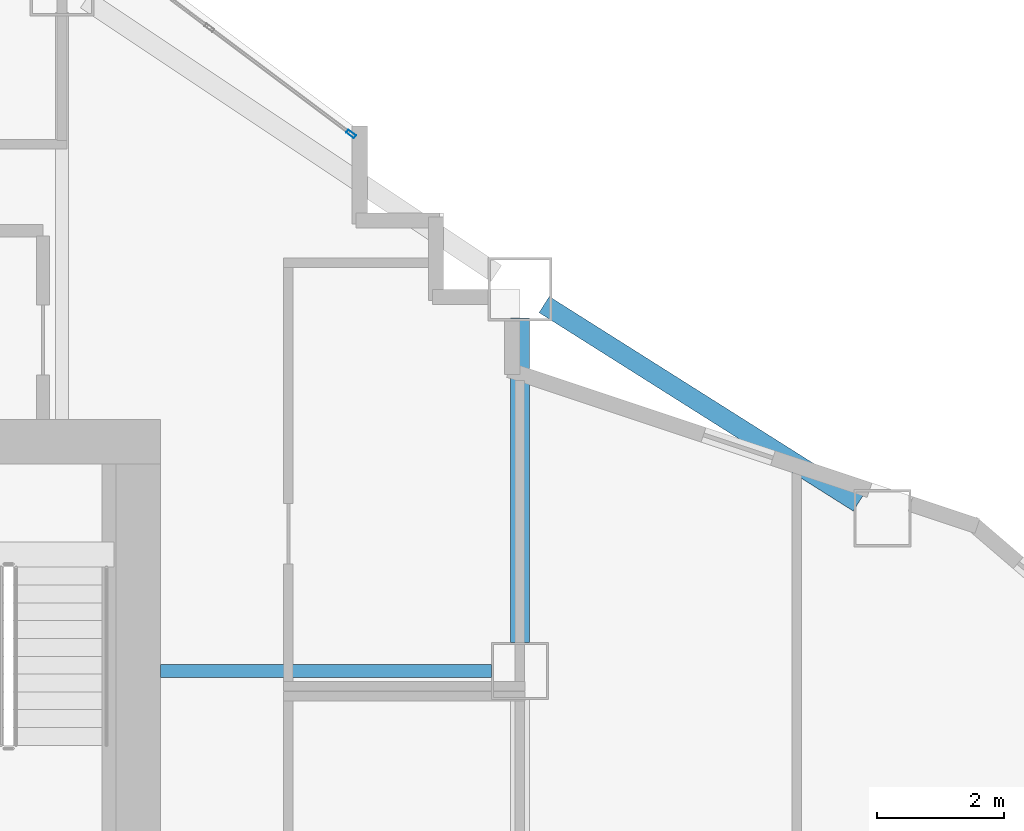
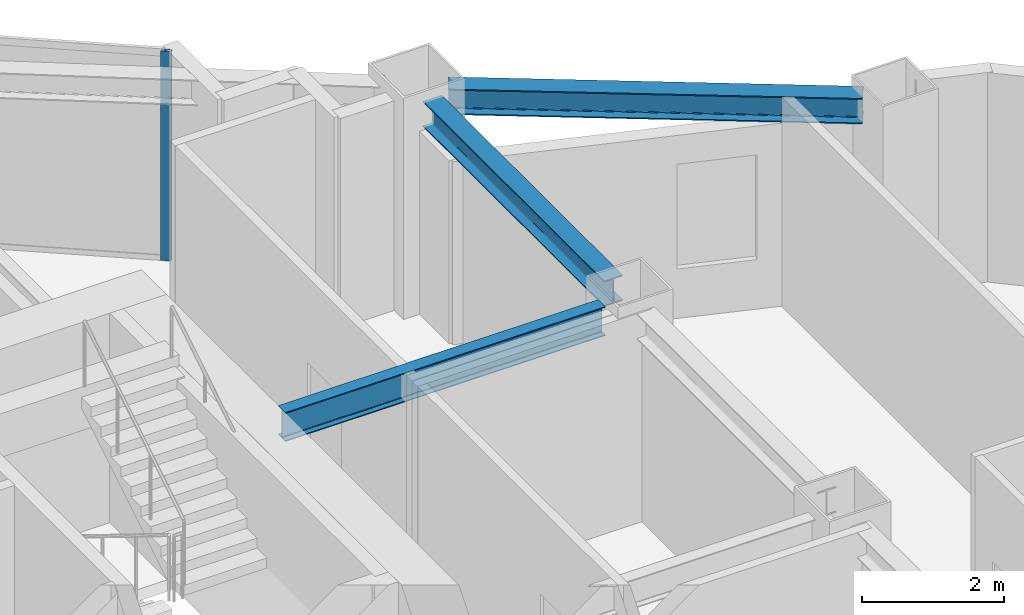
# One storey, part 5 of 14: 3 beams, 1 member, 1 element without a shape of its own.
"""IFC4 building model written with IfcOpenShell, lengths in metres."""

from ifc_helpers import new_model, si_unit, direction, frame, origin, origin_2d, place, context, subcontext, project, spatial, hollow_rectangle, i_section, extrude, material, layer, layer_set, material_profile, profile_set, type_object, element, aggregate, save


model = new_model("IFC4")

# Units and contexts
model_context = context("Model", 3, precision=1e-05, world=origin(), true_north=direction((0.0, 1.0)))
body_context = subcontext(model_context, "Body", "Model", "MODEL_VIEW")
ifc_project = project(units=[si_unit("LENGTHUNIT", "METRE"), si_unit("AREAUNIT", "SQUARE_METRE"), si_unit("VOLUMEUNIT", "CUBIC_METRE"), si_unit("PLANEANGLEUNIT", "RADIAN"), si_unit("MASSUNIT", "GRAM", prefix="KILO")], contexts=[model_context])

# Site, building, storey
site_placement = place(None, origin())
site = spatial("IfcSite", under=ifc_project, at=site_placement, CompositionType="ELEMENT")
building_placement = place(site_placement, origin())
building = spatial("IfcBuilding", under=site, at=building_placement, Name="Haolan Belvedere Tower", CompositionType="ELEMENT")
storey_placement = place(building_placement, frame((0.0, 0.0, 141.0)))
storey = spatial("IfcBuildingStorey", under=building, at=storey_placement, Name="L35", CompositionType="ELEMENT", Elevation=141.0)

# Beams
ifc_material_1 = material(Name="Steel Q355B", Category="steel")
ifc_material_profile_1 = material_profile(ifc_material_1, i_section(OverallWidth=0.300048828125, OverallDepth=0.43994140625, WebThickness=0.010986328125, FlangeThickness=0.01806640625, FilletRadius=0.02392578125, at=origin_2d()), Name="Steel Q355B")
ifc_profile_set_1 = profile_set([ifc_material_profile_1], Name="Steel Q355B")
beam_type_1 = type_object("IfcBeamType", Name="BM-HM440x300x11x18", PredefinedType="SPANDREL", material=ifc_profile_set_1)
beam_1_placement = place(storey_placement, frame((52.800048828125, 40.050048828125, 3.3798828125), z_axis=(0.0, 1.0, 0.0), x_axis=(-1.0, 0.0, 0.0)))
element("IfcBeam", 1, at=beam_1_placement, inside=storey, type_object=beam_type_1, Name="L35 spandrel girder TC-T3-E2-MC-T3-NE", PredefinedType="SPANDREL", context=body_context, shape_type="SweptSolid", body=[
    extrude(i_section(OverallWidth=0.300048828125, OverallDepth=0.43994140625, WebThickness=0.010986328125, FlangeThickness=0.01806640625, FilletRadius=0.02392578125, at=origin_2d()), origin(), (0.0, 0.0, 1.0), 5.099853515625),
])
beam_2_placement = place(storey_placement, frame((53.180419921875, 45.359619140625, 3.3798828125), z_axis=(0.845497840649, -0.533978839898, 0.0), x_axis=(0.533978839898, 0.845497840649, 0.0)))
element("IfcBeam", 2, at=beam_2_placement, inside=storey, type_object=beam_type_1, Name="L35 spandrel girder MC-T3-NE-TC-T4-N1", PredefinedType="SPANDREL", context=body_context, shape_type="SweptSolid", body=[
    extrude(i_section(OverallWidth=0.300048828125, OverallDepth=0.43994140625, WebThickness=0.010986328125, FlangeThickness=0.01806640625, FilletRadius=0.02392578125, at=origin_2d()), origin(), (0.0, 0.0, 1.0), 5.841796875),
])
ifc_material_profile_2 = material_profile(ifc_material_1, i_section(OverallWidth=0.199951171875, OverallDepth=0.5, WebThickness=0.010009765625, FlangeThickness=0.01611328125, FilletRadius=0.02001953125, at=origin_2d()), Name="Steel Q355B")
ifc_profile_set_2 = profile_set([ifc_material_profile_2], Name="Steel Q355B")
beam_type_2 = type_object("IfcBeamType", Name="BM-HN500x200x10x16", PredefinedType="BEAM", material=ifc_profile_set_2)
beam_3_placement = place(storey_placement, frame((52.35009765625, 39.60009765625, 3.35009765625), z_axis=(-1.0, 0.0, 0.0), x_axis=(0.0, -1.0, 0.0)))
element("IfcBeam", 3, at=beam_3_placement, inside=storey, type_object=beam_type_2, Name="L35 core tie beam from TC-T3-E2", PredefinedType="BEAM", context=body_context, shape_type="SweptSolid", body=[
    extrude(i_section(OverallWidth=0.199951171875, OverallDepth=0.5, WebThickness=0.010009765625, FlangeThickness=0.01611328125, FilletRadius=0.02001953125, at=origin_2d()), origin(), (0.0, 0.0, 1.0), 5.2001953125),
])

# Curtain wall, member
ifc_material_2 = material(Name="Anodised champagne-silver aluminium 6063-T6 and Low-E glass", Category="aluminium")
ifc_layer = layer(ifc_material_2, 0.155029296875, Name="Anodised champagne-silver aluminium 6063-T6 and Low-E glass")
ifc_layer_set = layer_set([ifc_layer], Name="Anodised champagne-silver aluminium 6063-T6 and Low-E glass")
curtain_wall_type = type_object("IfcCurtainWallType", Name="CW-SYS-03", PredefinedType="NOTDEFINED", material=ifc_layer_set)
curtain_wall_placement = place(storey_placement, origin())
curtain_wall = element("IfcCurtainWall", 4, at=curtain_wall_placement, inside=storey, type_object=curtain_wall_type, Name="L35 CW-SYS-03 ribbon curtain wall 26.1", PredefinedType="NOTDEFINED")
ifc_material_3 = material(Name="Anodised aluminium 6063-T6", Category="aluminium")
ifc_material_profile_3 = material_profile(ifc_material_3, hollow_rectangle(XDim=0.05810546875, YDim=0.155029296875, WallThickness=0.00390625, at=origin_2d()), Name="Anodised aluminium 6063-T6")
ifc_profile_set_3 = profile_set([ifc_material_profile_3], Name="Anodised aluminium 6063-T6")
member_type = type_object("IfcMemberType", Name="CW-SYS-03-MUL", PredefinedType="MULLION", material=ifc_profile_set_3)
member_placement = place(storey_placement, frame((50.144775390625, 48.04150390625, 0.0), z_axis=(0.0, 0.0, 1.0), x_axis=(-0.599994316874, -0.800004262313, 0.0)))
member = element("IfcMember", 5, at=member_placement, type_object=member_type, Name="CW-03 mullion 1", PredefinedType="MULLION", context=body_context, shape_type="SweptSolid", body=[
    extrude(hollow_rectangle(XDim=0.05810546875, YDim=0.155029296875, WallThickness=0.00390625, at=origin_2d()), origin(), (0.0, 0.0, 1.0), 3.60009765625),
])
aggregate(curtain_wall, [member])

save(model, "model.ifc")
